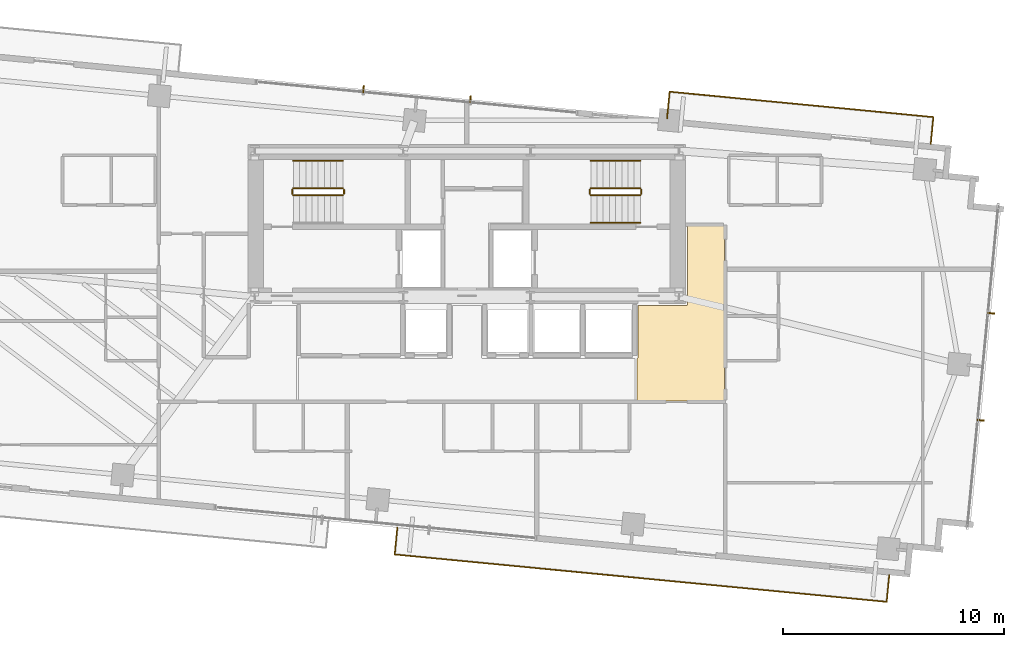
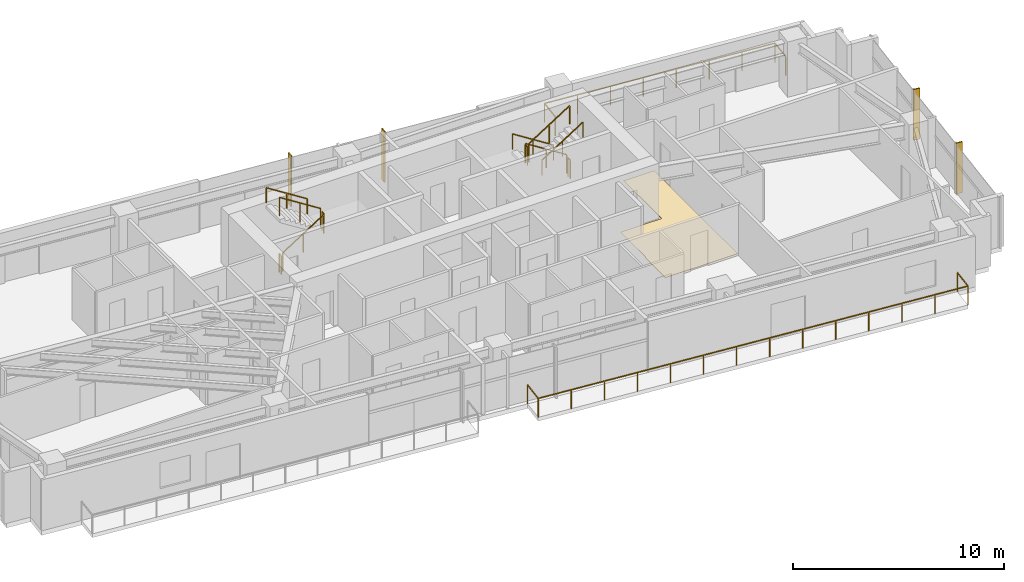
# One storey, part 20 of 20: 13 railings, 4 shading devices, 1 covering.
"""IFC4 building model written with IfcOpenShell, lengths in metres."""

from ifc_helpers import new_model, si_unit, direction, frame, origin, origin_2d, place, context, subcontext, project, spatial, polyline, rectangle, outline, extrude, source, transform, mapped, material, layer, layer_set, type_object, type_shapes, element, save


model = new_model("IFC4")

# Units and contexts
model_context = context("Model", 3, precision=1e-05, world=origin(), true_north=direction((0.0, 1.0)))
body_context = subcontext(model_context, "Body", "Model", "MODEL_VIEW")
ifc_project = project(units=[si_unit("LENGTHUNIT", "METRE"), si_unit("AREAUNIT", "SQUARE_METRE"), si_unit("VOLUMEUNIT", "CUBIC_METRE"), si_unit("PLANEANGLEUNIT", "RADIAN"), si_unit("MASSUNIT", "GRAM", prefix="KILO")], contexts=[model_context])

# Site, building, storey
site_placement = place(None, origin())
site = spatial("IfcSite", under=ifc_project, at=site_placement, CompositionType="ELEMENT")
building_placement = place(site_placement, origin())
building = spatial("IfcBuilding", under=site, at=building_placement, Name="Astriad Promenade Condominiums", CompositionType="ELEMENT")
storey_placement = place(building_placement, frame((0.0, 0.0, 156.60009765625)))
storey = spatial("IfcBuildingStorey", under=building, at=storey_placement, Name="L45", CompositionType="ELEMENT", Elevation=156.60009765625)

# Covering
ifc_material_1 = material(Name="Polished Lakefront Terrazzo Flooring")
ifc_layer = layer(ifc_material_1, 0.02001953125)
ifc_layer_set = layer_set([ifc_layer], Name="Polished Lakefront Terrazzo Flooring")
covering_type = type_object("IfcCoveringType", Name="COV-FLOR-TERRAZZO-20", PredefinedType="FLOORING", material=ifc_layer_set)
covering_placement = place(storey_placement, origin())
element("IfcCovering", 1, at=covering_placement, inside=storey, type_object=covering_type, Name="FLR-L45-COR-1", PredefinedType="FLOORING", context=body_context, shape_type="SweptSolid", body=[
    extrude(outline(polyline([(43.699951171875, 12.68994140625), (43.699951171875, 14.610107421875), (43.703857421875, 14.610107421875), (43.707763671875, 14.61083984375), (43.711669921875, 14.61181640625), (43.71533203125, 14.613037109375), (43.718994140625, 14.61474609375), (43.72216796875, 14.61669921875), (43.725341796875, 14.619140625), (43.728271484375, 14.62158203125), (43.73095703125, 14.62451171875), (43.7333984375, 14.627685546875), (43.7353515625, 14.631103515625), (43.737060546875, 14.634765625), (43.73828125, 14.638427734375), (43.7392578125, 14.64208984375), (43.73974609375, 14.64599609375), (43.739990234375, 14.64990234375), (43.739990234375, 17.010009765625), (45.949951171875, 17.010009765625), (45.953857421875, 17.01025390625), (45.957763671875, 17.0107421875), (45.961669921875, 17.01171875), (45.96533203125, 17.012939453125), (45.968994140625, 17.0146484375), (45.97216796875, 17.0166015625), (45.975341796875, 17.01904296875), (45.978271484375, 17.021728515625), (45.98095703125, 17.024658203125), (45.9833984375, 17.02783203125), (45.9853515625, 17.031005859375), (45.987060546875, 17.03466796875), (45.98828125, 17.038330078125), (45.9892578125, 17.042236328125), (45.98974609375, 17.046142578125), (45.989990234375, 17.050048828125), (45.989990234375, 20.610107421875), (47.659912109375, 20.610107421875), (47.659912109375, 12.68994140625), (43.699951171875, 12.68994140625)])), origin(), (0.0, 0.0, 1.0), 0.02001953125),
])

# Shading devices
ifc_material_2 = material(Name="Anodised aluminium 6063-T6 Black Fin", Category="aluminium")
shading_device_type = type_object("IfcShadingDeviceType", Name="FIN-BLACK-260", PredefinedType="USERDEFINED", material=ifc_material_2)
shared_shape_1 = source(origin(), body_context, "Body", "SweptSolid", [
    extrude(rectangle(XDim=0.06494140625, YDim=0.320068359375, at=origin_2d()), origin(), (0.0, 0.0, 1.0), 2.93994140625),
])
type_shapes(shading_device_type, [shared_shape_1])
for number, where, z_axis, x_axis, name in (
    (2, (31.3212890625, 26.7978515625, 0.0), (0.0, 0.0, 1.0), (0.995396198367, -0.09584575252, 0.0), "CW-L45-N-FIN-01"),
    (3, (36.1591796875, 26.331787109375, 0.0), (0.0, 0.0, 1.0), (0.995396198367, -0.09584575252, 0.0), "CW-L45-N-FIN-02"),
    (4, (59.7197265625, 16.652587890625, 0.0), (0.0, 0.0, 1.0), (-0.09584575252, -0.995396198367, 0.0), "CW-L45-E-FIN-01"),
    (5, (59.25341796875, 11.808349609375, 0.0), (0.0, 0.0, 1.0), (-0.09584575252, -0.995396198367, 0.0), "CW-L45-E-FIN-02"),
):
    element("IfcShadingDevice", number, at=place(storey_placement, frame(where, z_axis=z_axis, x_axis=x_axis)), inside=storey, type_object=shading_device_type, Name=name, ObjectType="FIN", PredefinedType="USERDEFINED", context=body_context, shape_type="MappedRepresentation", body=[
        mapped(shared_shape_1, transform((0.0, 0.0, 0.0), scale=1.0)),
    ])

# Railings
ifc_material_3 = material(Name="Laminated Glass and Stainless Steel Balustrade", Category="steel")
railing_type_1 = type_object("IfcRailingType", Name="GRD-BALC-1120", PredefinedType="BALUSTRADE", material=ifc_material_3)
shared_shape_2 = source(origin(), body_context, "Body", "SweptSolid", [
    extrude(rectangle(XDim=0.048095703125, YDim=0.048095703125, at=origin_2d()), frame((0.0, 0.0, 1.09619140625), z_axis=(-0.095876405589, -0.995393246336, 0.0), x_axis=(0.995393246336, -0.095876405589, 0.0)), (0.0, 0.0, 1.0), 1.2197265625),
    extrude(rectangle(XDim=0.048095703125, YDim=0.048095703125, at=origin_2d()), frame((-0.116943359375, -1.214111328125, 1.09619140625), z_axis=(0.995396181145, -0.095845931384, 0.0), x_axis=(0.095845931384, 0.995396181145, 0.0)), (0.0, 0.0, 1.0), 22.3671875),
    extrude(rectangle(XDim=0.048095703125, YDim=0.048095703125, at=origin_2d()), frame((22.147216796875, -3.35791015625, 1.09619140625), z_axis=(0.095857307208, 0.99539508571, 0.0), x_axis=(-0.99539508571, 0.095857307208, 0.0)), (0.0, 0.0, 1.0), 1.219970703125),
    extrude(rectangle(XDim=0.0419921875, YDim=0.0419921875, at=origin_2d()), origin(), (0.0, 0.0, 1.0), 1.072021484375),
    extrude(rectangle(XDim=0.0419921875, YDim=0.0419921875, at=origin_2d()), frame((-0.116943359375, -1.214111328125, 0.0)), (0.0, 0.0, 1.0), 1.072021484375),
    extrude(rectangle(XDim=0.0419921875, YDim=0.0419921875, at=origin_2d()), frame((1.595703125, -1.37890625, 0.0)), (0.0, 0.0, 1.0), 1.072021484375),
    extrude(rectangle(XDim=0.0419921875, YDim=0.0419921875, at=origin_2d()), frame((3.308349609375, -1.5439453125, 0.0)), (0.0, 0.0, 1.0), 1.072021484375),
    extrude(rectangle(XDim=0.0419921875, YDim=0.0419921875, at=origin_2d()), frame((5.02099609375, -1.708740234375, 0.0)), (0.0, 0.0, 1.0), 1.072021484375),
    extrude(rectangle(XDim=0.0419921875, YDim=0.0419921875, at=origin_2d()), frame((6.733642578125, -1.873779296875, 0.0)), (0.0, 0.0, 1.0), 1.072021484375),
    extrude(rectangle(XDim=0.0419921875, YDim=0.0419921875, at=origin_2d()), frame((8.4462890625, -2.03857421875, 0.0)), (0.0, 0.0, 1.0), 1.072021484375),
    extrude(rectangle(XDim=0.0419921875, YDim=0.0419921875, at=origin_2d()), frame((10.158935546875, -2.20361328125, 0.0)), (0.0, 0.0, 1.0), 1.072021484375),
    extrude(rectangle(XDim=0.0419921875, YDim=0.0419921875, at=origin_2d()), frame((11.871337890625, -2.368408203125, 0.0)), (0.0, 0.0, 1.0), 1.072021484375),
    extrude(rectangle(XDim=0.0419921875, YDim=0.0419921875, at=origin_2d()), frame((13.583984375, -2.533447265625, 0.0)), (0.0, 0.0, 1.0), 1.072021484375),
    extrude(rectangle(XDim=0.0419921875, YDim=0.0419921875, at=origin_2d()), frame((15.296630859375, -2.6982421875, 0.0)), (0.0, 0.0, 1.0), 1.072021484375),
    extrude(rectangle(XDim=0.0419921875, YDim=0.0419921875, at=origin_2d()), frame((17.00927734375, -2.86328125, 0.0)), (0.0, 0.0, 1.0), 1.072021484375),
    extrude(rectangle(XDim=0.0419921875, YDim=0.0419921875, at=origin_2d()), frame((18.721923828125, -3.028076171875, 0.0)), (0.0, 0.0, 1.0), 1.072021484375),
    extrude(rectangle(XDim=0.0419921875, YDim=0.0419921875, at=origin_2d()), frame((20.4345703125, -3.193115234375, 0.0)), (0.0, 0.0, 1.0), 1.072021484375),
    extrude(rectangle(XDim=0.0419921875, YDim=0.0419921875, at=origin_2d()), frame((22.147216796875, -3.35791015625, 0.0)), (0.0, 0.0, 1.0), 1.072021484375),
    extrude(rectangle(XDim=0.0419921875, YDim=0.0419921875, at=origin_2d()), frame((22.26416015625, -2.1435546875, 0.0)), (0.0, 0.0, 1.0), 1.072021484375),
])
railing_1_placement = place(storey_placement, frame((32.85009765625, 6.94970703125, 0.0)))
element("IfcRailing", 6, at=railing_1_placement, inside=storey, type_object=railing_type_1, Name="GRD-BALC-L45-SE", PredefinedType="BALUSTRADE", context=body_context, shape_type="MappedRepresentation", body=[
    mapped(shared_shape_2, transform((0.0, 0.0, 0.0), scale=1.0)),
])
shared_shape_3 = source(origin(), body_context, "Body", "SweptSolid", [
    extrude(rectangle(XDim=0.048095703125, YDim=0.048095703125, at=origin_2d()), frame((0.0, 0.0, 1.09619140625), z_axis=(0.095857307208, 0.99539508571, 0.0), x_axis=(-0.99539508571, 0.095857307208, 0.0)), (0.0, 0.0, 1.0), 1.219970703125),
    extrude(rectangle(XDim=0.048095703125, YDim=0.048095703125, at=origin_2d()), frame((0.116943359375, 1.21435546875, 1.09619140625), z_axis=(-0.995397121532, 0.095836164598, 0.0), x_axis=(-0.095836164598, -0.995397121532, 0.0)), (0.0, 0.0, 1.0), 11.990966796875),
    extrude(rectangle(XDim=0.048095703125, YDim=0.048095703125, at=origin_2d()), frame((-11.81884765625, 2.363525390625, 1.09619140625), z_axis=(-0.095857307208, -0.99539508571, 0.0), x_axis=(0.99539508571, -0.095857307208, 0.0)), (0.0, 0.0, 1.0), 1.219970703125),
    extrude(rectangle(XDim=0.0419921875, YDim=0.0419921875, at=origin_2d()), origin(), (0.0, 0.0, 1.0), 1.072021484375),
    extrude(rectangle(XDim=0.0419921875, YDim=0.0419921875, at=origin_2d()), frame((0.116943359375, 1.21435546875, 0.0)), (0.0, 0.0, 1.0), 1.072021484375),
    extrude(rectangle(XDim=0.0419921875, YDim=0.0419921875, at=origin_2d()), frame((-1.588134765625, 1.37841796875, 0.0)), (0.0, 0.0, 1.0), 1.072021484375),
    extrude(rectangle(XDim=0.0419921875, YDim=0.0419921875, at=origin_2d()), frame((-3.293212890625, 1.542724609375, 0.0)), (0.0, 0.0, 1.0), 1.072021484375),
    extrude(rectangle(XDim=0.0419921875, YDim=0.0419921875, at=origin_2d()), frame((-4.998291015625, 1.706787109375, 0.0)), (0.0, 0.0, 1.0), 1.072021484375),
    extrude(rectangle(XDim=0.0419921875, YDim=0.0419921875, at=origin_2d()), frame((-6.70361328125, 1.87109375, 0.0)), (0.0, 0.0, 1.0), 1.072021484375),
    extrude(rectangle(XDim=0.0419921875, YDim=0.0419921875, at=origin_2d()), frame((-8.40869140625, 2.03515625, 0.0)), (0.0, 0.0, 1.0), 1.072021484375),
    extrude(rectangle(XDim=0.0419921875, YDim=0.0419921875, at=origin_2d()), frame((-10.11376953125, 2.199462890625, 0.0)), (0.0, 0.0, 1.0), 1.072021484375),
    extrude(rectangle(XDim=0.0419921875, YDim=0.0419921875, at=origin_2d()), frame((-11.81884765625, 2.363525390625, 0.0)), (0.0, 0.0, 1.0), 1.072021484375),
    extrude(rectangle(XDim=0.0419921875, YDim=0.0419921875, at=origin_2d()), frame((-11.935791015625, 1.149169921875, 0.0)), (0.0, 0.0, 1.0), 1.072021484375),
])
type_shapes(railing_type_1, [shared_shape_2, shared_shape_3])
railing_2_placement = place(storey_placement, frame((56.99267578125, 24.31591796875, 0.0)))
element("IfcRailing", 7, at=railing_2_placement, inside=storey, type_object=railing_type_1, Name="GRD-BALC-L45-NE", PredefinedType="BALUSTRADE", context=body_context, shape_type="MappedRepresentation", body=[
    mapped(shared_shape_3, transform((0.0, 0.0, 0.0), scale=1.0)),
])
ifc_material_4 = material(Name="Painted Galvanised Steel Guardrail", Category="steel")
railing_type_2 = type_object("IfcRailingType", Name="GRD-STAIR-1100", PredefinedType="GUARDRAIL", material=ifc_material_4)
shared_shape_4 = source(origin(), body_context, "Body", "SweptSolid", [
    extrude(rectangle(XDim=0.048095703125, YDim=0.048095703125, at=origin_2d()), frame((0.0, 0.0, 1.076171875), z_axis=(0.0, 1.0, 0.0), x_axis=(-1.0, 0.0, 0.0)), (0.0, 0.0, 1.0), 0.199951171875),
    extrude(rectangle(XDim=0.0419921875, YDim=0.0419921875, at=origin_2d()), origin(), (0.0, 0.0, 1.0), 1.052001953125),
    extrude(rectangle(XDim=0.0419921875, YDim=0.0419921875, at=origin_2d()), frame((0.0, 0.199951171875, 0.0)), (0.0, 0.0, 1.0), 1.052001953125),
])
for number, where, name in (
    (8, (30.43994140625, 22.050048828125, 1.599853515625), "L45 ST-1 stair guard 2"),
    (9, (28.10009765625, 22.050048828125, 0.0), "L45 ST-1 stair guard 4"),
):
    element("IfcRailing", number, at=place(storey_placement, frame(where)), inside=storey, type_object=railing_type_2, Name=name, PredefinedType="GUARDRAIL", context=body_context, shape_type="MappedRepresentation", body=[
        mapped(shared_shape_4, transform((0.0, 0.0, 0.0), scale=1.0)),
    ])
shared_shape_5 = source(origin(), body_context, "Body", "SweptSolid", [
    extrude(rectangle(XDim=0.048095703125, YDim=0.048095703125, at=origin_2d()), frame((0.0, 0.0, 1.076171875), z_axis=(0.84418770128, 0.0, 0.536047689118), x_axis=(0.0, 1.0, 0.0)), (0.0, 0.0, 1.0), 2.6533203125),
    extrude(rectangle(XDim=0.0419921875, YDim=0.0419921875, at=origin_2d()), origin(), (0.0, 0.0, 1.0), 1.052001953125),
    extrude(rectangle(XDim=0.0419921875, YDim=0.0419921875, at=origin_2d()), frame((1.1201171875, 0.0, 0.711181640625)), (0.0, 0.0, 1.0), 1.052001953125),
    extrude(rectangle(XDim=0.0419921875, YDim=0.0419921875, at=origin_2d()), frame((2.239990234375, 0.0, 1.42236328125)), (0.0, 0.0, 1.0), 1.052001953125),
])
railing_3_placement = place(storey_placement, frame((41.610107421875, 22.0, 1.777587890625)))
element("IfcRailing", 10, at=railing_3_placement, inside=storey, type_object=railing_type_2, Name="L45 ST-2 stair guard 3", PredefinedType="GUARDRAIL", context=body_context, shape_type="MappedRepresentation", body=[
    mapped(shared_shape_5, transform((0.0, 0.0, 0.0), scale=1.0)),
])
shared_shape_6 = source(origin(), body_context, "Body", "SweptSolid", [
    extrude(rectangle(XDim=0.048095703125, YDim=0.048095703125, at=origin_2d()), frame((0.0, 0.0, 1.076171875), z_axis=(-0.8442293374, 0.0, 0.53598211339), x_axis=(0.0, -1.0, 0.0)), (0.0, 0.0, 1.0), 2.6533203125),
    extrude(rectangle(XDim=0.0419921875, YDim=0.0419921875, at=origin_2d()), origin(), (0.0, 0.0, 1.0), 1.052001953125),
    extrude(rectangle(XDim=0.0419921875, YDim=0.0419921875, at=origin_2d()), frame((-1.1201171875, 0.0, 0.7109375)), (0.0, 0.0, 1.0), 1.052001953125),
    extrude(rectangle(XDim=0.0419921875, YDim=0.0419921875, at=origin_2d()), frame((-2.239990234375, 0.0, 1.422119140625)), (0.0, 0.0, 1.0), 1.052001953125),
])
railing_4_placement = place(storey_placement, frame((43.85009765625, 22.300048828125, 0.177734375)))
element("IfcRailing", 11, at=railing_4_placement, inside=storey, type_object=railing_type_2, Name="L45 ST-2 stair guard 1", PredefinedType="GUARDRAIL", context=body_context, shape_type="MappedRepresentation", body=[
    mapped(shared_shape_6, transform((0.0, 0.0, 0.0), scale=1.0)),
])
ifc_material_5 = material(Name="Brushed Stainless Steel Handrail", Category="steel")
railing_type_3 = type_object("IfcRailingType", Name="HRL-STAIR-920", PredefinedType="HANDRAIL", material=ifc_material_5)
shared_shape_7 = source(origin(), body_context, "Body", "SweptSolid", [
    extrude(rectangle(XDim=0.048095703125, YDim=0.048095703125, at=origin_2d()), frame((0.0, 0.0, 0.8759765625), z_axis=(0.84418770128, 0.0, 0.536047689118), x_axis=(0.0, 1.0, 0.0)), (0.0, 0.0, 1.0), 2.6533203125),
    extrude(rectangle(XDim=0.0419921875, YDim=0.0419921875, at=origin_2d()), origin(), (0.0, 0.0, 1.0), 0.851806640625),
    extrude(rectangle(XDim=0.0419921875, YDim=0.0419921875, at=origin_2d()), frame((1.1201171875, 0.0, 0.711181640625)), (0.0, 0.0, 1.0), 0.851806640625),
    extrude(rectangle(XDim=0.0419921875, YDim=0.0419921875, at=origin_2d()), frame((2.239990234375, 0.0, 1.42236328125)), (0.0, 0.0, 1.0), 0.851806640625),
])
railing_5_placement = place(storey_placement, frame((41.610107421875, 20.75, 1.777587890625)))
element("IfcRailing", 12, at=railing_5_placement, inside=storey, type_object=railing_type_3, Name="L45 ST-2 stair handrail 2", PredefinedType="HANDRAIL", context=body_context, shape_type="MappedRepresentation", body=[
    mapped(shared_shape_7, transform((0.0, 0.0, 0.0), scale=1.0)),
])
shared_shape_8 = source(origin(), body_context, "Body", "SweptSolid", [
    extrude(rectangle(XDim=0.048095703125, YDim=0.048095703125, at=origin_2d()), frame((0.0, 0.0, 0.8759765625), z_axis=(-0.8442293374, 0.0, 0.53598211339), x_axis=(0.0, -1.0, 0.0)), (0.0, 0.0, 1.0), 2.6533203125),
    extrude(rectangle(XDim=0.0419921875, YDim=0.0419921875, at=origin_2d()), origin(), (0.0, 0.0, 1.0), 0.851806640625),
    extrude(rectangle(XDim=0.0419921875, YDim=0.0419921875, at=origin_2d()), frame((-1.1201171875, 0.0, 0.7109375)), (0.0, 0.0, 1.0), 0.851806640625),
    extrude(rectangle(XDim=0.0419921875, YDim=0.0419921875, at=origin_2d()), frame((-2.239990234375, 0.0, 1.422119140625)), (0.0, 0.0, 1.0), 0.851806640625),
])
railing_6_placement = place(storey_placement, frame((43.85009765625, 23.550048828125, 0.177734375)))
element("IfcRailing", 13, at=railing_6_placement, inside=storey, type_object=railing_type_3, Name="L45 ST-2 stair handrail 1", PredefinedType="HANDRAIL", context=body_context, shape_type="MappedRepresentation", body=[
    mapped(shared_shape_8, transform((0.0, 0.0, 0.0), scale=1.0)),
])
shared_shape_9 = source(origin(), body_context, "Body", "SweptSolid", [
    extrude(rectangle(XDim=0.048095703125, YDim=0.048095703125, at=origin_2d()), frame((0.0, 0.0, 1.076171875), z_axis=(0.8442293374, 0.0, 0.53598211339), x_axis=(0.0, 1.0, 0.0)), (0.0, 0.0, 1.0), 2.6533203125),
    extrude(rectangle(XDim=0.0419921875, YDim=0.0419921875, at=origin_2d()), origin(), (0.0, 0.0, 1.0), 1.052001953125),
    extrude(rectangle(XDim=0.0419921875, YDim=0.0419921875, at=origin_2d()), frame((1.1201171875, 0.0, 0.7109375)), (0.0, 0.0, 1.0), 1.052001953125),
    extrude(rectangle(XDim=0.0419921875, YDim=0.0419921875, at=origin_2d()), frame((2.239990234375, 0.0, 1.422119140625)), (0.0, 0.0, 1.0), 1.052001953125),
])
railing_7_placement = place(storey_placement, frame((28.14990234375, 22.0, 0.177734375)))
element("IfcRailing", 14, at=railing_7_placement, inside=storey, type_object=railing_type_2, Name="L45 ST-1 stair guard 1", PredefinedType="GUARDRAIL", context=body_context, shape_type="MappedRepresentation", body=[
    mapped(shared_shape_9, transform((0.0, 0.0, 0.0), scale=1.0)),
])
shared_shape_10 = source(origin(), body_context, "Body", "SweptSolid", [
    extrude(rectangle(XDim=0.048095703125, YDim=0.048095703125, at=origin_2d()), frame((0.0, 0.0, 1.076171875), z_axis=(-0.84418770128, 0.0, 0.536047689118), x_axis=(0.0, -1.0, 0.0)), (0.0, 0.0, 1.0), 2.6533203125),
    extrude(rectangle(XDim=0.0419921875, YDim=0.0419921875, at=origin_2d()), origin(), (0.0, 0.0, 1.0), 1.052001953125),
    extrude(rectangle(XDim=0.0419921875, YDim=0.0419921875, at=origin_2d()), frame((-1.1201171875, 0.0, 0.711181640625)), (0.0, 0.0, 1.0), 1.052001953125),
    extrude(rectangle(XDim=0.0419921875, YDim=0.0419921875, at=origin_2d()), frame((-2.239990234375, 0.0, 1.42236328125)), (0.0, 0.0, 1.0), 1.052001953125),
])
railing_8_placement = place(storey_placement, frame((30.389892578125, 22.300048828125, 1.777587890625)))
element("IfcRailing", 15, at=railing_8_placement, inside=storey, type_object=railing_type_2, Name="L45 ST-1 stair guard 3", PredefinedType="GUARDRAIL", context=body_context, shape_type="MappedRepresentation", body=[
    mapped(shared_shape_10, transform((0.0, 0.0, 0.0), scale=1.0)),
])
shared_shape_11 = source(origin(), body_context, "Body", "SweptSolid", [
    extrude(rectangle(XDim=0.048095703125, YDim=0.048095703125, at=origin_2d()), frame((0.0, 0.0, 0.8759765625), z_axis=(-0.84418770128, 0.0, 0.536047689118), x_axis=(0.0, -1.0, 0.0)), (0.0, 0.0, 1.0), 2.6533203125),
    extrude(rectangle(XDim=0.0419921875, YDim=0.0419921875, at=origin_2d()), origin(), (0.0, 0.0, 1.0), 0.851806640625),
    extrude(rectangle(XDim=0.0419921875, YDim=0.0419921875, at=origin_2d()), frame((-1.1201171875, 0.0, 0.711181640625)), (0.0, 0.0, 1.0), 0.851806640625),
    extrude(rectangle(XDim=0.0419921875, YDim=0.0419921875, at=origin_2d()), frame((-2.239990234375, 0.0, 1.42236328125)), (0.0, 0.0, 1.0), 0.851806640625),
])
type_shapes(railing_type_3, [shared_shape_7, shared_shape_8, shared_shape_11])
railing_9_placement = place(storey_placement, frame((30.389892578125, 23.550048828125, 1.777587890625)))
element("IfcRailing", 16, at=railing_9_placement, inside=storey, type_object=railing_type_3, Name="L45 ST-1 stair handrail 2", PredefinedType="HANDRAIL", context=body_context, shape_type="MappedRepresentation", body=[
    mapped(shared_shape_11, transform((0.0, 0.0, 0.0), scale=1.0)),
])
shared_shape_12 = source(origin(), body_context, "Body", "SweptSolid", [
    extrude(rectangle(XDim=0.048095703125, YDim=0.048095703125, at=origin_2d()), frame((0.0, 0.0, 1.076171875), z_axis=(0.0, -1.0, 0.0), x_axis=(1.0, 0.0, 0.0)), (0.0, 0.0, 1.0), 0.199951171875),
    extrude(rectangle(XDim=0.0419921875, YDim=0.0419921875, at=origin_2d()), origin(), (0.0, 0.0, 1.0), 1.052001953125),
    extrude(rectangle(XDim=0.0419921875, YDim=0.0419921875, at=origin_2d()), frame((0.0, -0.199951171875, 0.0)), (0.0, 0.0, 1.0), 1.052001953125),
])
type_shapes(railing_type_2, [shared_shape_4, shared_shape_5, shared_shape_6, shared_shape_9, shared_shape_10, shared_shape_12])
for number, where, name in (
    (17, (41.56005859375, 22.25, 1.599853515625), "L45 ST-2 stair guard 2"),
    (18, (43.89990234375, 22.25, 0.0), "L45 ST-2 stair guard 4"),
):
    element("IfcRailing", number, at=place(storey_placement, frame(where)), inside=storey, type_object=railing_type_2, Name=name, PredefinedType="GUARDRAIL", context=body_context, shape_type="MappedRepresentation", body=[
        mapped(shared_shape_12, transform((0.0, 0.0, 0.0), scale=1.0)),
    ])

save(model, "model.ifc")
